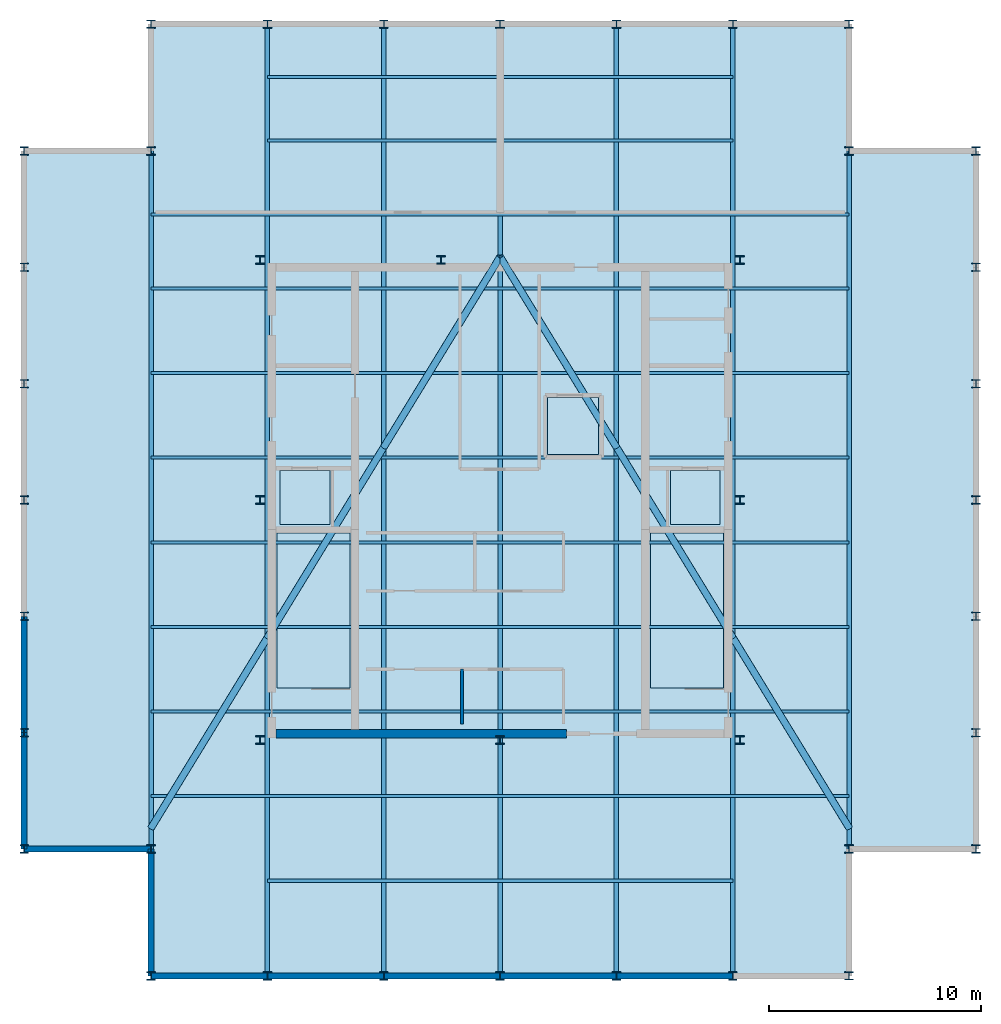
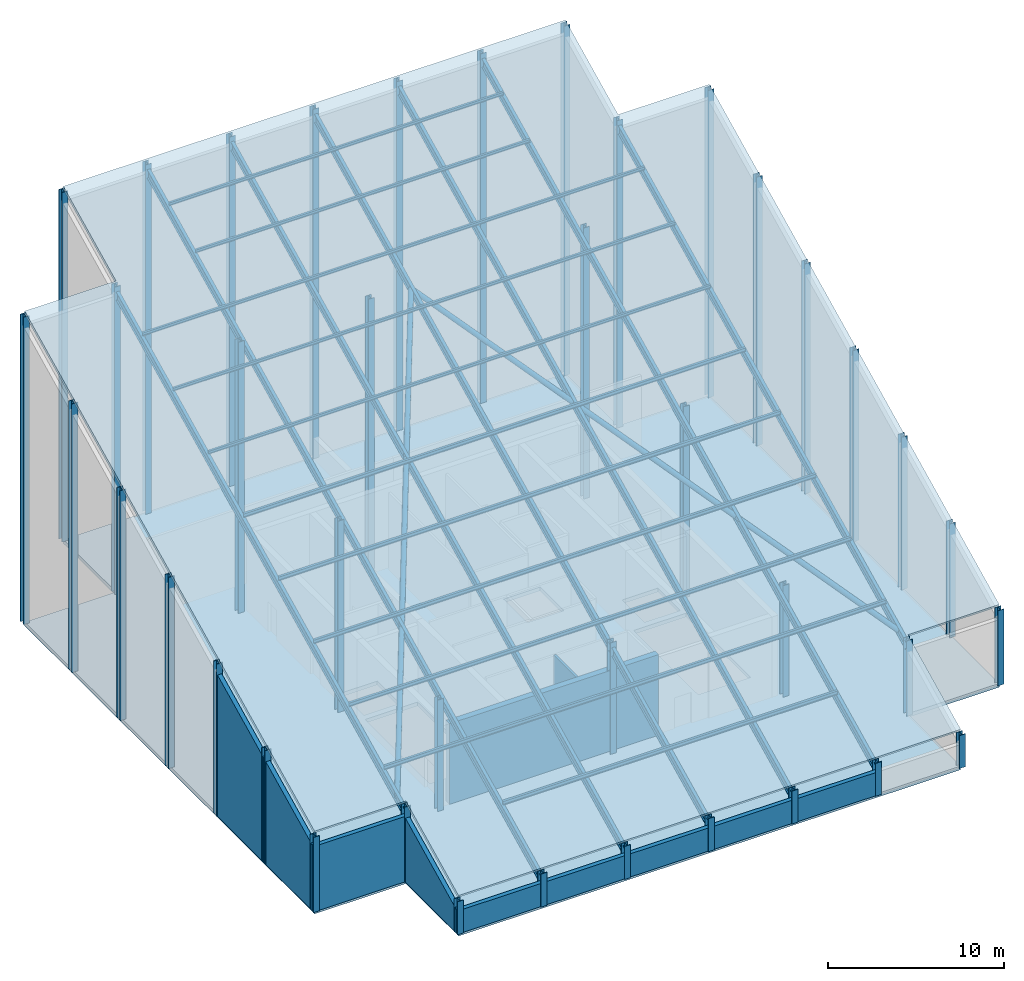
# One storey, part 1 of 4: 40 columns, 18 beams, 11 walls, 6 members, 2 slabs.
"""IFC4 building model written with IfcOpenShell, lengths in metres."""

from ifc_helpers import new_model, si_unit, direction, frame, frame_2d, origin, origin_2d, place, context, subcontext, project, spatial, polyline, rectangle, hollow_circle, i_section, outline, extrude, material, layer, layer_set, material_profile, profile_set, type_object, element, save


model = new_model("IFC4")

# Units and contexts
model_context = context("Model", 3, precision=1e-05, world=origin(), true_north=direction((0.0, 1.0)))
body_context = subcontext(model_context, "Body", "Model", "MODEL_VIEW")
ifc_project = project(units=[si_unit("LENGTHUNIT", "METRE"), si_unit("AREAUNIT", "SQUARE_METRE"), si_unit("VOLUMEUNIT", "CUBIC_METRE"), si_unit("PLANEANGLEUNIT", "RADIAN"), si_unit("MASSUNIT", "GRAM", prefix="KILO")], contexts=[model_context])

# Site, building, storey
site_placement = place(None, origin())
site = spatial("IfcSite", under=ifc_project, at=site_placement, CompositionType="ELEMENT")
building_placement = place(site_placement, origin())
building = spatial("IfcBuilding", under=site, at=building_placement, Name="Nhamokura Convention Tower", CompositionType="ELEMENT")
storey_placement = place(building_placement, frame((0.0, 0.0, 331.449951171875)))
storey = spatial("IfcBuildingStorey", under=building, at=storey_placement, Name="L81", CompositionType="ELEMENT", Elevation=331.449951171875)

# Columns
ifc_material_1 = material(Name="Steel ASTM A572 Gr 50", Category="steel")
ifc_material_profile_1 = material_profile(ifc_material_1, i_section(OverallWidth=0.39794921875, OverallDepth=0.386962890625, WebThickness=0.02099609375, FlangeThickness=0.033203125, at=origin_2d()))
ifc_profile_set_1 = profile_set([ifc_material_profile_1], Name="Steel ASTM A572 Gr 50")
column_type = type_object("IfcColumnType", Name="CrownColumn_W360X262", PredefinedType="COLUMN", material=ifc_profile_set_1)
for number, where, z_axis, x_axis, name in (
    (1, (20.64990234375, 20.64990234375, 0.0), (0.0, 0.0, 1.0), (1.0, 0.0, 0.0), "L81 Core Column CC-SW"),
    (2, (32.0, 20.64990234375, 0.0), (0.0, 0.0, 1.0), (1.0, 0.0, 0.0), "L81 Core Column CC-S"),
    (3, (43.35009765625, 20.64990234375, 0.0), (0.0, 0.0, 1.0), (1.0, 0.0, 0.0), "L81 Core Column CC-SE"),
):
    element("IfcColumn", number, at=place(storey_placement, frame(where, z_axis=z_axis, x_axis=x_axis)), inside=storey, type_object=column_type, Name=name, PredefinedType="COLUMN", context=body_context, shape_type="SweptSolid", body=[
        extrude(i_section(OverallWidth=0.39794921875, OverallDepth=0.386962890625, WebThickness=0.02099609375, FlangeThickness=0.033203125, at=origin_2d()), origin(), (0.0, 0.0, 1.0), 7.7412109375),
    ])
column_1_placement = place(storey_placement, frame((43.35009765625, 32.0, 0.0), z_axis=(0.0, 0.0, 1.0), x_axis=(1.0, 0.0, 0.0)))
element("IfcColumn", 4, at=column_1_placement, inside=storey, type_object=column_type, Name="L81 Core Column CC-E", PredefinedType="COLUMN", context=body_context, shape_type="SweptSolid", body=[
    extrude(i_section(OverallWidth=0.39794921875, OverallDepth=0.386962890625, WebThickness=0.02099609375, FlangeThickness=0.033203125, at=origin_2d()), origin(), (0.0, 0.0, 1.0), 13.2900390625),
])
for number, where, z_axis, x_axis, name in (
    (5, (43.35009765625, 43.35009765625, 0.0), (0.0, 0.0, 1.0), (1.0, 0.0, 0.0), "L81 Core Column CC-NE"),
    (6, (29.199951171875, 43.35009765625, 0.0), (0.0, 0.0, 1.0), (1.0, 0.0, 0.0), "L81 Core Column CC-N"),
    (7, (20.64990234375, 43.35009765625, 0.0), (0.0, 0.0, 1.0), (1.0, 0.0, 0.0), "L81 Core Column CC-NW"),
):
    element("IfcColumn", number, at=place(storey_placement, frame(where, z_axis=z_axis, x_axis=x_axis)), inside=storey, type_object=column_type, Name=name, PredefinedType="COLUMN", context=body_context, shape_type="SweptSolid", body=[
        extrude(i_section(OverallWidth=0.39794921875, OverallDepth=0.386962890625, WebThickness=0.02099609375, FlangeThickness=0.033203125, at=origin_2d()), origin(), (0.0, 0.0, 1.0), 18.8388671875),
    ])
column_2_placement = place(storey_placement, frame((20.64990234375, 32.0, 0.0), z_axis=(0.0, 0.0, 1.0), x_axis=(1.0, 0.0, 0.0)))
element("IfcColumn", 8, at=column_2_placement, inside=storey, type_object=column_type, Name="L81 Core Column CC-W", PredefinedType="COLUMN", context=body_context, shape_type="SweptSolid", body=[
    extrude(i_section(OverallWidth=0.39794921875, OverallDepth=0.386962890625, WebThickness=0.02099609375, FlangeThickness=0.033203125, at=origin_2d()), origin(), (0.0, 0.0, 1.0), 13.2900390625),
])
column_3_placement = place(storey_placement, frame((15.5, 9.5, 0.0), z_axis=(0.0, 0.0, 1.0), x_axis=(1.0, 0.0, 0.0)))
element("IfcColumn", 9, at=column_3_placement, inside=storey, type_object=column_type, Name="L81 Perimeter Tube Column SW1", PredefinedType="COLUMN", context=body_context, shape_type="SweptSolid", body=[
    extrude(i_section(OverallWidth=0.39794921875, OverallDepth=0.386962890625, WebThickness=0.02099609375, FlangeThickness=0.033203125, at=origin_2d()), origin(), (0.0, 0.0, 1.0), 2.2900390625),
])
for number, where, z_axis, x_axis, name in (
    (10, (15.5, 15.5, 0.0), (0.0, 0.0, 1.0), (1.0, 0.0, 0.0), "L81 Perimeter Tube Column SW0"),
    (11, (9.5, 15.5, 0.0), (0.0, 0.0, 1.0), (1.0, 0.0, 0.0), "L81 Perimeter Tube Column SW2"),
):
    element("IfcColumn", number, at=place(storey_placement, frame(where, z_axis=z_axis, x_axis=x_axis)), inside=storey, type_object=column_type, Name=name, PredefinedType="COLUMN", context=body_context, shape_type="SweptSolid", body=[
        extrude(i_section(OverallWidth=0.39794921875, OverallDepth=0.386962890625, WebThickness=0.02099609375, FlangeThickness=0.033203125, at=origin_2d()), origin(), (0.0, 0.0, 1.0), 5.223388671875),
    ])
column_4_placement = place(storey_placement, frame((48.5, 9.5, 0.0), z_axis=(0.0, 0.0, 1.0), x_axis=(1.0, 0.0, 0.0)))
element("IfcColumn", 12, at=column_4_placement, inside=storey, type_object=column_type, Name="L81 Perimeter Tube Column SE1", PredefinedType="COLUMN", context=body_context, shape_type="SweptSolid", body=[
    extrude(i_section(OverallWidth=0.39794921875, OverallDepth=0.386962890625, WebThickness=0.02099609375, FlangeThickness=0.033203125, at=origin_2d()), origin(), (0.0, 0.0, 1.0), 2.2900390625),
])
for number, where, z_axis, x_axis, name in (
    (13, (48.5, 15.5, 0.0), (0.0, 0.0, 1.0), (1.0, 0.0, 0.0), "L81 Perimeter Tube Column SE0"),
    (14, (54.5, 15.5, 0.0), (0.0, 0.0, 1.0), (1.0, 0.0, 0.0), "L81 Perimeter Tube Column SE2"),
):
    element("IfcColumn", number, at=place(storey_placement, frame(where, z_axis=z_axis, x_axis=x_axis)), inside=storey, type_object=column_type, Name=name, PredefinedType="COLUMN", context=body_context, shape_type="SweptSolid", body=[
        extrude(i_section(OverallWidth=0.39794921875, OverallDepth=0.386962890625, WebThickness=0.02099609375, FlangeThickness=0.033203125, at=origin_2d()), origin(), (0.0, 0.0, 1.0), 5.223388671875),
    ])
for number, where, z_axis, x_axis, name in (
    (15, (54.5, 48.5, 0.0), (0.0, 0.0, 1.0), (1.0, 0.0, 0.0), "L81 Perimeter Tube Column NE1"),
    (16, (48.5, 48.5, 0.0), (0.0, 0.0, 1.0), (1.0, 0.0, 0.0), "L81 Perimeter Tube Column NE0"),
):
    element("IfcColumn", number, at=place(storey_placement, frame(where, z_axis=z_axis, x_axis=x_axis)), inside=storey, type_object=column_type, Name=name, PredefinedType="COLUMN", context=body_context, shape_type="SweptSolid", body=[
        extrude(i_section(OverallWidth=0.39794921875, OverallDepth=0.386962890625, WebThickness=0.02099609375, FlangeThickness=0.033203125, at=origin_2d()), origin(), (0.0, 0.0, 1.0), 21.356689453125),
    ])
for number, where, z_axis, x_axis, name in (
    (17, (48.5, 54.5, 0.0), (0.0, 0.0, 1.0), (1.0, 0.0, 0.0), "L81 Perimeter Tube Column NE2"),
    (18, (15.5, 54.5, 0.0), (0.0, 0.0, 1.0), (1.0, 0.0, 0.0), "L81 Perimeter Tube Column NW1"),
):
    element("IfcColumn", number, at=place(storey_placement, frame(where, z_axis=z_axis, x_axis=x_axis)), inside=storey, type_object=column_type, Name=name, PredefinedType="COLUMN", context=body_context, shape_type="SweptSolid", body=[
        extrude(i_section(OverallWidth=0.39794921875, OverallDepth=0.386962890625, WebThickness=0.02099609375, FlangeThickness=0.033203125, at=origin_2d()), origin(), (0.0, 0.0, 1.0), 24.2900390625),
    ])
for number, where, z_axis, x_axis, name in (
    (19, (15.5, 48.5, 0.0), (0.0, 0.0, 1.0), (1.0, 0.0, 0.0), "L81 Perimeter Tube Column NW0"),
    (20, (9.5, 48.5, 0.0), (0.0, 0.0, 1.0), (1.0, 0.0, 0.0), "L81 Perimeter Tube Column NW2"),
):
    element("IfcColumn", number, at=place(storey_placement, frame(where, z_axis=z_axis, x_axis=x_axis)), inside=storey, type_object=column_type, Name=name, PredefinedType="COLUMN", context=body_context, shape_type="SweptSolid", body=[
        extrude(i_section(OverallWidth=0.39794921875, OverallDepth=0.386962890625, WebThickness=0.02099609375, FlangeThickness=0.033203125, at=origin_2d()), origin(), (0.0, 0.0, 1.0), 21.356689453125),
    ])
column_5_placement = place(storey_placement, frame((21.0, 9.5, 0.0), z_axis=(0.0, 0.0, 1.0), x_axis=(1.0, 0.0, 0.0)))
element("IfcColumn", 21, at=column_5_placement, inside=storey, type_object=column_type, Name="L81 Perimeter Tube Column S1", PredefinedType="COLUMN", context=body_context, shape_type="SweptSolid", body=[
    extrude(i_section(OverallWidth=0.39794921875, OverallDepth=0.386962890625, WebThickness=0.02099609375, FlangeThickness=0.033203125, at=origin_2d()), origin(), (0.0, 0.0, 1.0), 2.2900390625),
])
column_6_placement = place(storey_placement, frame((21.0, 54.5, 0.0), z_axis=(0.0, 0.0, 1.0), x_axis=(1.0, 0.0, 0.0)))
element("IfcColumn", 22, at=column_6_placement, inside=storey, type_object=column_type, Name="L81 Perimeter Tube Column N1", PredefinedType="COLUMN", context=body_context, shape_type="SweptSolid", body=[
    extrude(i_section(OverallWidth=0.39794921875, OverallDepth=0.386962890625, WebThickness=0.02099609375, FlangeThickness=0.033203125, at=origin_2d()), origin(), (0.0, 0.0, 1.0), 24.2900390625),
])
for number, where, z_axis, x_axis, name in (
    (23, (9.5, 21.0, 0.0), (0.0, 0.0, 1.0), (1.0, 0.0, 0.0), "L81 Perimeter Tube Column W1"),
    (24, (54.5, 21.0, 0.0), (0.0, 0.0, 1.0), (1.0, 0.0, 0.0), "L81 Perimeter Tube Column E1"),
):
    element("IfcColumn", number, at=place(storey_placement, frame(where, z_axis=z_axis, x_axis=x_axis)), inside=storey, type_object=column_type, Name=name, PredefinedType="COLUMN", context=body_context, shape_type="SweptSolid", body=[
        extrude(i_section(OverallWidth=0.39794921875, OverallDepth=0.386962890625, WebThickness=0.02099609375, FlangeThickness=0.033203125, at=origin_2d()), origin(), (0.0, 0.0, 1.0), 7.912353515625),
    ])
column_7_placement = place(storey_placement, frame((26.5, 9.5, 0.0), z_axis=(0.0, 0.0, 1.0), x_axis=(1.0, 0.0, 0.0)))
element("IfcColumn", 25, at=column_7_placement, inside=storey, type_object=column_type, Name="L81 Perimeter Tube Column S2", PredefinedType="COLUMN", context=body_context, shape_type="SweptSolid", body=[
    extrude(i_section(OverallWidth=0.39794921875, OverallDepth=0.386962890625, WebThickness=0.02099609375, FlangeThickness=0.033203125, at=origin_2d()), origin(), (0.0, 0.0, 1.0), 2.2900390625),
])
column_8_placement = place(storey_placement, frame((26.5, 54.5, 0.0), z_axis=(0.0, 0.0, 1.0), x_axis=(1.0, 0.0, 0.0)))
element("IfcColumn", 26, at=column_8_placement, inside=storey, type_object=column_type, Name="L81 Perimeter Tube Column N2", PredefinedType="COLUMN", context=body_context, shape_type="SweptSolid", body=[
    extrude(i_section(OverallWidth=0.39794921875, OverallDepth=0.386962890625, WebThickness=0.02099609375, FlangeThickness=0.033203125, at=origin_2d()), origin(), (0.0, 0.0, 1.0), 24.2900390625),
])
for number, where, z_axis, x_axis, name in (
    (27, (9.5, 26.5, 0.0), (0.0, 0.0, 1.0), (1.0, 0.0, 0.0), "L81 Perimeter Tube Column W2"),
    (28, (54.5, 26.5, 0.0), (0.0, 0.0, 1.0), (1.0, 0.0, 0.0), "L81 Perimeter Tube Column E2"),
):
    element("IfcColumn", number, at=place(storey_placement, frame(where, z_axis=z_axis, x_axis=x_axis)), inside=storey, type_object=column_type, Name=name, PredefinedType="COLUMN", context=body_context, shape_type="SweptSolid", body=[
        extrude(i_section(OverallWidth=0.39794921875, OverallDepth=0.386962890625, WebThickness=0.02099609375, FlangeThickness=0.033203125, at=origin_2d()), origin(), (0.0, 0.0, 1.0), 10.60107421875),
    ])
column_9_placement = place(storey_placement, frame((32.0, 9.5, 0.0), z_axis=(0.0, 0.0, 1.0), x_axis=(1.0, 0.0, 0.0)))
element("IfcColumn", 29, at=column_9_placement, inside=storey, type_object=column_type, Name="L81 Perimeter Tube Column S3", PredefinedType="COLUMN", context=body_context, shape_type="SweptSolid", body=[
    extrude(i_section(OverallWidth=0.39794921875, OverallDepth=0.386962890625, WebThickness=0.02099609375, FlangeThickness=0.033203125, at=origin_2d()), origin(), (0.0, 0.0, 1.0), 2.2900390625),
])
column_10_placement = place(storey_placement, frame((32.0, 54.5, 0.0), z_axis=(0.0, 0.0, 1.0), x_axis=(1.0, 0.0, 0.0)))
element("IfcColumn", 30, at=column_10_placement, inside=storey, type_object=column_type, Name="L81 Perimeter Tube Column N3", PredefinedType="COLUMN", context=body_context, shape_type="SweptSolid", body=[
    extrude(i_section(OverallWidth=0.39794921875, OverallDepth=0.386962890625, WebThickness=0.02099609375, FlangeThickness=0.033203125, at=origin_2d()), origin(), (0.0, 0.0, 1.0), 24.2900390625),
])
for number, where, z_axis, x_axis, name in (
    (31, (9.5, 32.0, 0.0), (0.0, 0.0, 1.0), (1.0, 0.0, 0.0), "L81 Perimeter Tube Column W3"),
    (32, (54.5, 32.0, 0.0), (0.0, 0.0, 1.0), (1.0, 0.0, 0.0), "L81 Perimeter Tube Column E3"),
):
    element("IfcColumn", number, at=place(storey_placement, frame(where, z_axis=z_axis, x_axis=x_axis)), inside=storey, type_object=column_type, Name=name, PredefinedType="COLUMN", context=body_context, shape_type="SweptSolid", body=[
        extrude(i_section(OverallWidth=0.39794921875, OverallDepth=0.386962890625, WebThickness=0.02099609375, FlangeThickness=0.033203125, at=origin_2d()), origin(), (0.0, 0.0, 1.0), 13.2900390625),
    ])
column_11_placement = place(storey_placement, frame((37.5, 9.5, 0.0), z_axis=(0.0, 0.0, 1.0), x_axis=(1.0, 0.0, 0.0)))
element("IfcColumn", 33, at=column_11_placement, inside=storey, type_object=column_type, Name="L81 Perimeter Tube Column S4", PredefinedType="COLUMN", context=body_context, shape_type="SweptSolid", body=[
    extrude(i_section(OverallWidth=0.39794921875, OverallDepth=0.386962890625, WebThickness=0.02099609375, FlangeThickness=0.033203125, at=origin_2d()), origin(), (0.0, 0.0, 1.0), 2.2900390625),
])
column_12_placement = place(storey_placement, frame((37.5, 54.5, 0.0), z_axis=(0.0, 0.0, 1.0), x_axis=(1.0, 0.0, 0.0)))
element("IfcColumn", 34, at=column_12_placement, inside=storey, type_object=column_type, Name="L81 Perimeter Tube Column N4", PredefinedType="COLUMN", context=body_context, shape_type="SweptSolid", body=[
    extrude(i_section(OverallWidth=0.39794921875, OverallDepth=0.386962890625, WebThickness=0.02099609375, FlangeThickness=0.033203125, at=origin_2d()), origin(), (0.0, 0.0, 1.0), 24.2900390625),
])
for number, where, z_axis, x_axis, name in (
    (35, (9.5, 37.5, 0.0), (0.0, 0.0, 1.0), (1.0, 0.0, 0.0), "L81 Perimeter Tube Column W4"),
    (36, (54.5, 37.5, 0.0), (0.0, 0.0, 1.0), (1.0, 0.0, 0.0), "L81 Perimeter Tube Column E4"),
):
    element("IfcColumn", number, at=place(storey_placement, frame(where, z_axis=z_axis, x_axis=x_axis)), inside=storey, type_object=column_type, Name=name, PredefinedType="COLUMN", context=body_context, shape_type="SweptSolid", body=[
        extrude(i_section(OverallWidth=0.39794921875, OverallDepth=0.386962890625, WebThickness=0.02099609375, FlangeThickness=0.033203125, at=origin_2d()), origin(), (0.0, 0.0, 1.0), 15.97900390625),
    ])
column_13_placement = place(storey_placement, frame((43.0, 9.5, 0.0), z_axis=(0.0, 0.0, 1.0), x_axis=(1.0, 0.0, 0.0)))
element("IfcColumn", 37, at=column_13_placement, inside=storey, type_object=column_type, Name="L81 Perimeter Tube Column S5", PredefinedType="COLUMN", context=body_context, shape_type="SweptSolid", body=[
    extrude(i_section(OverallWidth=0.39794921875, OverallDepth=0.386962890625, WebThickness=0.02099609375, FlangeThickness=0.033203125, at=origin_2d()), origin(), (0.0, 0.0, 1.0), 2.2900390625),
])
column_14_placement = place(storey_placement, frame((43.0, 54.5, 0.0), z_axis=(0.0, 0.0, 1.0), x_axis=(1.0, 0.0, 0.0)))
element("IfcColumn", 38, at=column_14_placement, inside=storey, type_object=column_type, Name="L81 Perimeter Tube Column N5", PredefinedType="COLUMN", context=body_context, shape_type="SweptSolid", body=[
    extrude(i_section(OverallWidth=0.39794921875, OverallDepth=0.386962890625, WebThickness=0.02099609375, FlangeThickness=0.033203125, at=origin_2d()), origin(), (0.0, 0.0, 1.0), 24.2900390625),
])
for number, where, z_axis, x_axis, name in (
    (39, (9.5, 43.0, 0.0), (0.0, 0.0, 1.0), (1.0, 0.0, 0.0), "L81 Perimeter Tube Column W5"),
    (40, (54.5, 43.0, 0.0), (0.0, 0.0, 1.0), (1.0, 0.0, 0.0), "L81 Perimeter Tube Column E5"),
):
    element("IfcColumn", number, at=place(storey_placement, frame(where, z_axis=z_axis, x_axis=x_axis)), inside=storey, type_object=column_type, Name=name, PredefinedType="COLUMN", context=body_context, shape_type="SweptSolid", body=[
        extrude(i_section(OverallWidth=0.39794921875, OverallDepth=0.386962890625, WebThickness=0.02099609375, FlangeThickness=0.033203125, at=origin_2d()), origin(), (0.0, 0.0, 1.0), 18.66796875),
    ])

# Members
ifc_material_2 = material(Name="Steel ASTM A572 Gr 50", Category="steel")
ifc_material_profile_2 = material_profile(ifc_material_2, hollow_circle(Radius=0.161865234375, WallThickness=0.012451171875, at=origin_2d()))
ifc_profile_set_2 = profile_set([ifc_material_profile_2], Name="Steel ASTM A572 Gr 50")
member_type = type_object("IfcMemberType", Name="CrownStrut_CHS324", PredefinedType="STRUT", material=ifc_profile_set_2)
for number, where, z_axis, x_axis, name in (
    (41, (15.5, 16.5, 5.151611328125), (0.481251760892, 0.787502881459, 0.385014226143), (-0.853281833652, 0.521450009454, 0.0), "L81 Crown Bracing Strut 01"),
    (42, (48.5, 16.5, 5.151611328125), (-0.481251760892, 0.787502881459, 0.385014226143), (-0.853281833652, -0.521450009454, 0.0), "L81 Crown Bracing Strut 02"),
    (43, (21.0, 25.5, 9.5517578125), (0.48125571904, 0.78750935843, 0.384996030209), (-0.853281833652, 0.521450009454, 0.0), "L81 Crown Bracing Strut 03"),
    (44, (43.0, 25.5, 9.5517578125), (-0.48125571904, 0.78750935843, 0.384996030209), (-0.853281833652, -0.521450009454, 0.0), "L81 Crown Bracing Strut 04"),
    (45, (26.5, 34.5, 13.95166015625), (0.48125571904, 0.78750935843, 0.384996030209), (-0.853281833652, 0.521450009454, 0.0), "L81 Crown Bracing Strut 05"),
    (46, (37.5, 34.5, 13.95166015625), (-0.48125571904, 0.78750935843, 0.384996030209), (-0.853281833652, -0.521450009454, 0.0), "L81 Crown Bracing Strut 06"),
):
    element("IfcMember", number, at=place(storey_placement, frame(where, z_axis=z_axis, x_axis=x_axis)), inside=storey, type_object=member_type, Name=name, PredefinedType="STRUT", context=body_context, shape_type="SweptSolid", body=[
        extrude(hollow_circle(Radius=0.161865234375, WallThickness=0.012451171875, at=origin_2d()), origin(), (0.0, 0.0, 1.0), 11.428466796875),
    ])

# Beams
ifc_material_3 = material(Name="Steel ASTM A992 Gr 50", Category="steel")
ifc_material_profile_3 = material_profile(ifc_material_3, i_section(OverallWidth=0.208984375, OverallDepth=0.532958984375, WebThickness=0.01025390625, FlangeThickness=0.015625, at=origin_2d()))
ifc_profile_set_3 = profile_set([ifc_material_profile_3], Name="Steel ASTM A992 Gr 50")
beam_type_1 = type_object("IfcBeamType", Name="PrimaryGirder_W530X92", PredefinedType="BEAM", material=ifc_profile_set_3)
beam_1_placement = place(storey_placement, frame((15.5, 15.5, 4.662841796875), z_axis=(0.0, 0.898384710592, 0.439209416765), x_axis=(-1.0, 0.0, 0.0)))
element("IfcBeam", 47, at=beam_1_placement, inside=storey, type_object=beam_type_1, Name="L81 Sloped Crown Rafter 01", PredefinedType="BEAM", context=body_context, shape_type="SweptSolid", body=[
    extrude(i_section(OverallWidth=0.208984375, OverallDepth=0.532958984375, WebThickness=0.01025390625, FlangeThickness=0.015625, at=origin_2d()), origin(), (0.0, 0.0, 1.0), 36.732666015625),
])
for number, where, z_axis, x_axis, name in (
    (48, (21.0, 9.5, 1.7294921875), (0.0, 0.898384360919, 0.439210132005), (-1.0, 0.0, 0.0), "L81 Sloped Crown Rafter 02"),
    (49, (26.5, 9.5, 1.7294921875), (0.0, 0.898384360919, 0.439210132005), (-1.0, 0.0, 0.0), "L81 Sloped Crown Rafter 03"),
    (50, (32.0, 9.5, 1.7294921875), (0.0, 0.898384360919, 0.439210132005), (-1.0, 0.0, 0.0), "L81 Sloped Crown Rafter 04"),
    (51, (37.5, 9.5, 1.7294921875), (0.0, 0.898384360919, 0.439210132005), (-1.0, 0.0, 0.0), "L81 Sloped Crown Rafter 05"),
    (52, (43.0, 9.5, 1.7294921875), (0.0, 0.898384360919, 0.439210132005), (-1.0, 0.0, 0.0), "L81 Sloped Crown Rafter 06"),
):
    element("IfcBeam", number, at=place(storey_placement, frame(where, z_axis=z_axis, x_axis=x_axis)), inside=storey, type_object=beam_type_1, Name=name, PredefinedType="BEAM", context=body_context, shape_type="SweptSolid", body=[
        extrude(i_section(OverallWidth=0.208984375, OverallDepth=0.532958984375, WebThickness=0.01025390625, FlangeThickness=0.015625, at=origin_2d()), origin(), (0.0, 0.0, 1.0), 50.08984375),
    ])
beam_2_placement = place(storey_placement, frame((48.5, 15.5, 4.662841796875), z_axis=(0.0, 0.898384710592, 0.439209416765), x_axis=(-1.0, 0.0, 0.0)))
element("IfcBeam", 53, at=beam_2_placement, inside=storey, type_object=beam_type_1, Name="L81 Sloped Crown Rafter 07", PredefinedType="BEAM", context=body_context, shape_type="SweptSolid", body=[
    extrude(i_section(OverallWidth=0.208984375, OverallDepth=0.532958984375, WebThickness=0.01025390625, FlangeThickness=0.015625, at=origin_2d()), origin(), (0.0, 0.0, 1.0), 36.732666015625),
])
ifc_material_4 = material(Name="Steel ASTM A992 Gr 50", Category="steel")
ifc_material_profile_4 = material_profile(ifc_material_4, i_section(OverallWidth=0.133056640625, OverallDepth=0.20703125, WebThickness=0.005859375, FlangeThickness=0.00830078125, at=origin_2d()))
ifc_profile_set_4 = profile_set([ifc_material_profile_4], Name="Steel ASTM A992 Gr 50")
beam_type_2 = type_object("IfcBeamType", Name="RoofPurlin_W200X27", PredefinedType="USERDEFINED", material=ifc_profile_set_4)
for number, where, z_axis, x_axis, name in (
    (54, (15.5, 38.0, 16.078369140625), (1.0, 0.0, 0.0), (0.0, 1.0, 0.0), "L81 Crown Roof Purlin 07"),
    (55, (15.5, 42.0, 18.033935546875), (1.0, 0.0, 0.0), (0.0, 1.0, 0.0), "L81 Crown Roof Purlin 08"),
    (56, (15.5, 45.5, 19.7451171875), (1.0, 0.0, 0.0), (0.0, 1.0, 0.0), "L81 Crown Roof Purlin 09"),
):
    element("IfcBeam", number, at=place(storey_placement, frame(where, z_axis=z_axis, x_axis=x_axis)), inside=storey, type_object=beam_type_2, Name=name, ObjectType="PURLIN", PredefinedType="USERDEFINED", context=body_context, shape_type="SweptSolid", body=[
        extrude(i_section(OverallWidth=0.133056640625, OverallDepth=0.20703125, WebThickness=0.005859375, FlangeThickness=0.00830078125, at=origin_2d()), origin(), (0.0, 0.0, 1.0), 33.0),
    ])
for number, where, z_axis, x_axis, name in (
    (57, (21.0, 49.0, 21.4560546875), (1.0, 0.0, 0.0), (0.0, 1.0, 0.0), "L81 Crown Roof Purlin 10"),
    (58, (21.0, 52.0, 22.9228515625), (1.0, 0.0, 0.0), (0.0, 1.0, 0.0), "L81 Crown Roof Purlin 11"),
):
    element("IfcBeam", number, at=place(storey_placement, frame(where, z_axis=z_axis, x_axis=x_axis)), inside=storey, type_object=beam_type_2, Name=name, ObjectType="PURLIN", PredefinedType="USERDEFINED", context=body_context, shape_type="SweptSolid", body=[
        extrude(i_section(OverallWidth=0.133056640625, OverallDepth=0.20703125, WebThickness=0.005859375, FlangeThickness=0.00830078125, at=origin_2d()), origin(), (0.0, 0.0, 1.0), 22.0),
    ])
ifc_material_5 = material(Name="Steel ASTM A992 Gr 50", Category="steel")
ifc_material_profile_5 = material_profile(ifc_material_5, i_section(OverallWidth=0.14599609375, OverallDepth=0.258056640625, WebThickness=0.006103515625, FlangeThickness=0.009033203125, at=origin_2d()))
ifc_profile_set_5 = profile_set([ifc_material_profile_5], Name="Steel ASTM A992 Gr 50")
beam_type_3 = type_object("IfcBeamType", Name="RoofPurlin_W250X33", PredefinedType="USERDEFINED", material=ifc_profile_set_5)
beam_3_placement = place(storey_placement, frame((21.0, 14.0, 4.344970703125), z_axis=(1.0, 0.0, 0.0), x_axis=(0.0, 1.0, 0.0)))
element("IfcBeam", 59, at=beam_3_placement, inside=storey, type_object=beam_type_3, Name="L81 Crown Roof Purlin 01", ObjectType="PURLIN", PredefinedType="USERDEFINED", context=body_context, shape_type="SweptSolid", body=[
    extrude(i_section(OverallWidth=0.14599609375, OverallDepth=0.258056640625, WebThickness=0.006103515625, FlangeThickness=0.009033203125, at=origin_2d()), origin(), (0.0, 0.0, 1.0), 22.0),
])
for number, where, z_axis, x_axis, name in (
    (60, (15.5, 18.0, 6.300537109375), (1.0, 0.0, 0.0), (0.0, 1.0, 0.0), "L81 Crown Roof Purlin 02"),
    (61, (15.5, 22.0, 8.256103515625), (1.0, 0.0, 0.0), (0.0, 1.0, 0.0), "L81 Crown Roof Purlin 03"),
    (62, (15.5, 26.0, 10.211669921875), (1.0, 0.0, 0.0), (0.0, 1.0, 0.0), "L81 Crown Roof Purlin 04"),
    (63, (15.5, 30.0, 12.167236328125), (1.0, 0.0, 0.0), (0.0, 1.0, 0.0), "L81 Crown Roof Purlin 05"),
    (64, (15.5, 34.0, 14.122802734375), (1.0, 0.0, 0.0), (0.0, 1.0, 0.0), "L81 Crown Roof Purlin 06"),
):
    element("IfcBeam", number, at=place(storey_placement, frame(where, z_axis=z_axis, x_axis=x_axis)), inside=storey, type_object=beam_type_3, Name=name, ObjectType="PURLIN", PredefinedType="USERDEFINED", context=body_context, shape_type="SweptSolid", body=[
        extrude(i_section(OverallWidth=0.14599609375, OverallDepth=0.258056640625, WebThickness=0.006103515625, FlangeThickness=0.009033203125, at=origin_2d()), origin(), (0.0, 0.0, 1.0), 33.0),
    ])

# Slabs
ifc_material_6 = material(Name="Concrete C40/50", Category="concrete")
ifc_layer_1 = layer(ifc_material_6, 0.260009765625)
ifc_layer_set_1 = layer_set([ifc_layer_1], Name="RefugePlantSlab_260")
slab_type_1 = type_object("IfcSlabType", Name="RefugePlantSlab_260", PredefinedType="FLOOR", material=ifc_layer_set_1)
slab_1_placement = place(storey_placement, frame((0.0, 0.0, -0.260009765625)))
element("IfcSlab", 65, at=slab_1_placement, inside=storey, type_object=slab_type_1, Name="L81 Structural Floor Slab", PredefinedType="FLOOR", context=body_context, shape_type="SweptSolid", body=[
    extrude(outline(polyline([(15.5, 9.5), (48.5, 9.5), (48.5, 15.5), (54.5, 15.5), (54.5, 48.5), (48.5, 48.5), (48.5, 54.5), (15.5, 54.5), (15.5, 48.5), (9.5, 48.5), (9.5, 15.5), (15.5, 15.5), (15.5, 9.5)]), holes=[polyline([(24.89990234375, 23.10009765625), (24.89990234375, 30.449951171875), (21.449951171875, 30.449951171875), (21.449951171875, 23.10009765625), (24.89990234375, 23.10009765625)]), polyline([(42.550048828125, 23.10009765625), (42.550048828125, 30.449951171875), (39.10009765625, 30.449951171875), (39.10009765625, 23.10009765625), (42.550048828125, 23.10009765625)]), polyline([(21.60009765625, 30.85009765625), (23.949951171875, 30.85009765625), (23.949951171875, 33.39990234375), (21.60009765625, 33.39990234375), (21.60009765625, 30.85009765625)]), polyline([(40.050048828125, 30.85009765625), (42.39990234375, 30.85009765625), (42.39990234375, 33.39990234375), (40.050048828125, 33.39990234375), (40.050048828125, 30.85009765625)]), polyline([(34.25, 34.14990234375), (36.64990234375, 34.14990234375), (36.64990234375, 36.85009765625), (34.25, 36.85009765625), (34.25, 34.14990234375)])]), origin(), (0.0, 0.0, 1.0), 0.260009765625),
])
ifc_material_7 = material(Name="Concrete C40/50", Category="concrete")
ifc_layer_2 = layer(ifc_material_7, 0.22998046875)
ifc_layer_set_2 = layer_set([ifc_layer_2], Name="SlantedCrownRoofSlab_230")
slab_type_2 = type_object("IfcSlabType", Name="SlantedCrownRoofSlab_230", PredefinedType="ROOF", material=ifc_layer_set_2)
slab_2_placement = place(storey_placement, frame((15.5, 9.5, 2.550048828125), z_axis=(0.0, -0.439209981428, 0.898384434534), x_axis=(1.0, 0.0, 0.0)))
element("IfcSlab", 66, at=slab_2_placement, inside=storey, type_object=slab_type_2, Name="L81 Slanted-Cut Crown Roof Slab", PredefinedType="ROOF", context=body_context, shape_type="SweptSolid", body=[
    extrude(outline(polyline([(0.0, 0.0), (33.0, 0.0), (33.0, 6.6786630346629), (39.0, 6.6786630346629), (39.0, 43.41125611080916), (33.0, 43.41125611080916), (33.0, 50.08991914547207), (0.0, 50.08991914547207), (0.0, 43.41125611080916), (-6.0, 43.41125611080916), (-6.0, 6.6786630346629), (0.0, 6.6786630346629), (0.0, 0.0)])), origin(), (0.0, 0.0, -1.0), 0.22998046875),
])

# Walls
ifc_material_8 = material(Name="Bronze-pigmented precast concrete C45/55", Category="concrete")
ifc_layer_3 = layer(ifc_material_8, 0.280029296875)
ifc_layer_set_3 = layer_set([ifc_layer_3], Name="BronzePrecastSpandrel_280")
wall_type_1 = type_object("IfcWallType", Name="BronzePrecastSpandrel_280", PredefinedType="USERDEFINED", material=ifc_layer_set_3)
for number, where, z_axis, x_axis, name in (
    (67, (21.0, 9.5, 0.0), (0.0, 0.0, 1.0), (-1.0, 0.0, 0.0), "L81 Crown Wall SOUTH 0"),
    (68, (26.5, 9.5, 0.0), (0.0, 0.0, 1.0), (-1.0, 0.0, 0.0), "L81 Crown Wall SOUTH 1"),
    (69, (32.0, 9.5, 0.0), (0.0, 0.0, 1.0), (-1.0, 0.0, 0.0), "L81 Crown Wall SOUTH 2"),
    (70, (37.5, 9.5, 0.0), (0.0, 0.0, 1.0), (-1.0, 0.0, 0.0), "L81 Crown Wall SOUTH 3"),
    (71, (43.0, 9.5, 0.0), (0.0, 0.0, 1.0), (-1.0, 0.0, 0.0), "L81 Crown Wall SOUTH 4"),
):
    element("IfcWall", number, at=place(storey_placement, frame(where, z_axis=z_axis, x_axis=x_axis)), inside=storey, type_object=wall_type_1, Name=name, ObjectType="SPANDREL_WALL", PredefinedType="USERDEFINED", context=body_context, shape_type="SweptSolid", body=[
        extrude(rectangle(XDim=5.5, YDim=0.280029296875, at=frame_2d((2.75, 0.0))), origin(), (0.0, 0.0, 1.0), 1.610107421875),
    ])
wall_1_placement = place(storey_placement, frame((9.5, 15.5, 0.0), z_axis=(0.0, 0.0, 1.0), x_axis=(0.0, 1.0, 0.0)))
element("IfcWall", 72, at=wall_1_placement, inside=storey, type_object=wall_type_1, Name="L81 Slanted Crown Wall WEST 0", ObjectType="SPANDREL_WALL", PredefinedType="USERDEFINED", context=body_context, shape_type="SweptSolid", body=[
    extrude(outline(polyline([(0.0, 0.0), (5.5, 0.0), (5.5, 7.232177734375), (0.0, 4.54345703125), (0.0, 0.0)])), frame((0.0, 0.14013671875, 0.0), z_axis=(0.0, -1.0, 0.0), x_axis=(1.0, 0.0, 0.0)), (0.0, 0.0, 1.0), 0.280029296875),
])
wall_2_placement = place(storey_placement, frame((9.5, 21.0, 0.0), z_axis=(0.0, 0.0, 1.0), x_axis=(0.0, 1.0, 0.0)))
element("IfcWall", 73, at=wall_2_placement, inside=storey, type_object=wall_type_1, Name="L81 Slanted Crown Wall WEST 1", ObjectType="SPANDREL_WALL", PredefinedType="USERDEFINED", context=body_context, shape_type="SweptSolid", body=[
    extrude(outline(polyline([(0.0, 0.0), (5.5, 0.0), (5.5, 9.921142578125), (0.0, 7.232177734375), (0.0, 0.0)])), frame((0.0, 0.14013671875, 0.0), z_axis=(0.0, -1.0, 0.0), x_axis=(1.0, 0.0, 0.0)), (0.0, 0.0, 1.0), 0.280029296875),
])
wall_3_placement = place(storey_placement, frame((15.5, 9.5, 0.0), z_axis=(0.0, 0.0, 1.0), x_axis=(0.0, 1.0, 0.0)))
element("IfcWall", 74, at=wall_3_placement, inside=storey, type_object=wall_type_1, Name="L81 Crown Notch Wall SW1", ObjectType="SPANDREL_WALL", PredefinedType="USERDEFINED", context=body_context, shape_type="SweptSolid", body=[
    extrude(outline(polyline([(0.0, 0.0), (6.0, 0.0), (6.0, 4.54345703125), (0.0, 1.610107421875), (0.0, 0.0)])), frame((0.0, 0.14013671875, 0.0), z_axis=(0.0, -1.0, 0.0), x_axis=(1.0, 0.0, 0.0)), (0.0, 0.0, 1.0), 0.280029296875),
])
wall_4_placement = place(storey_placement, frame((15.5, 15.5, 0.0), z_axis=(0.0, 0.0, 1.0), x_axis=(-1.0, 0.0, 0.0)))
element("IfcWall", 75, at=wall_4_placement, inside=storey, type_object=wall_type_1, Name="L81 Crown Notch Wall SW2", ObjectType="SPANDREL_WALL", PredefinedType="USERDEFINED", context=body_context, shape_type="SweptSolid", body=[
    extrude(rectangle(XDim=6.0, YDim=0.280029296875, at=frame_2d((3.0, 0.0))), origin(), (0.0, 0.0, 1.0), 4.54345703125),
])
ifc_material_9 = material(Name="Concrete C50/60", Category="concrete")
ifc_layer_4 = layer(ifc_material_9, 0.39990234375)
ifc_layer_set_4 = layer_set([ifc_layer_4], Name="CoreShearWall_400")
wall_type_2 = type_object("IfcWallType", Name="CoreShearWall_400", PredefinedType="SHEAR", material=ifc_layer_set_4)
wall_5_placement = place(storey_placement, frame((21.409912109375, 20.949951171875, 0.0), z_axis=(0.0, 0.0, 1.0), x_axis=(1.0, 0.0, 0.0)))
element("IfcWall", 76, at=wall_5_placement, inside=storey, type_object=wall_type_2, Name="L81 Core Shear Wall CW-S1", PredefinedType="SHEAR", context=body_context, shape_type="SweptSolid", body=[
    extrude(rectangle(XDim=13.739990234375, YDim=0.39990234375, at=frame_2d((6.8701171875, 0.0))), origin(), (0.0, 0.0, 1.0), 5.60009765625),
])
ifc_material_10 = material(Name="Acoustic gypsum stud partition", Category="masonry")
ifc_layer_5 = layer(ifc_material_10, 0.14990234375)
ifc_layer_set_5 = layer_set([ifc_layer_5], Name="InteriorPartition_150")
wall_type_3 = type_object("IfcWallType", Name="InteriorPartition_150", PredefinedType="STANDARD", material=ifc_layer_set_5)
wall_6_placement = place(storey_placement, frame((30.199951171875, 21.39990234375, 0.0), z_axis=(0.0, 0.0, 1.0), x_axis=(0.0, 1.0, 0.0)))
element("IfcWall", 77, at=wall_6_placement, inside=storey, type_object=wall_type_3, Name="L81 Wall INT-L81-B1R-M", PredefinedType="STANDARD", context=body_context, shape_type="SweptSolid", body=[
    extrude(rectangle(XDim=2.60009765625, YDim=0.14990234375, at=frame_2d((1.300048828125, 0.0))), origin(), (0.0, 0.0, 1.0), 5.35009765625),
])

save(model, "model.ifc")
